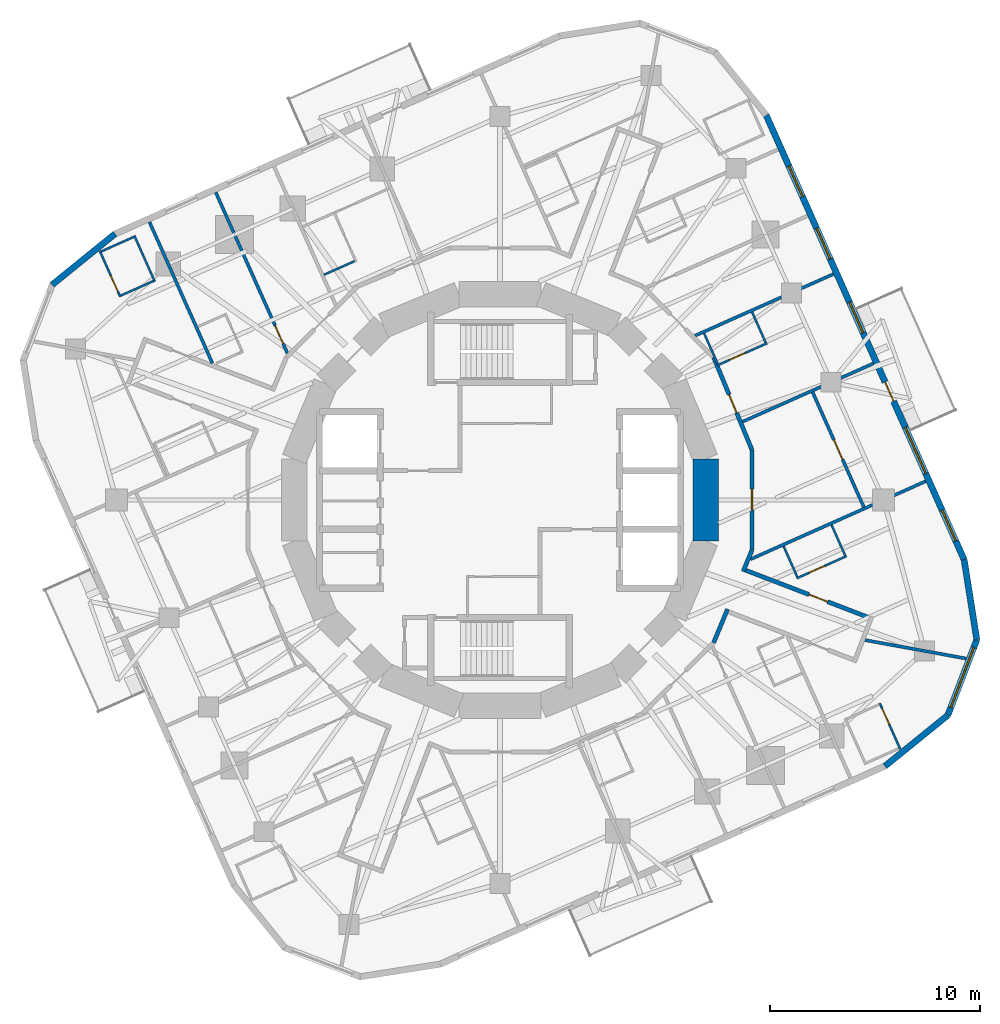
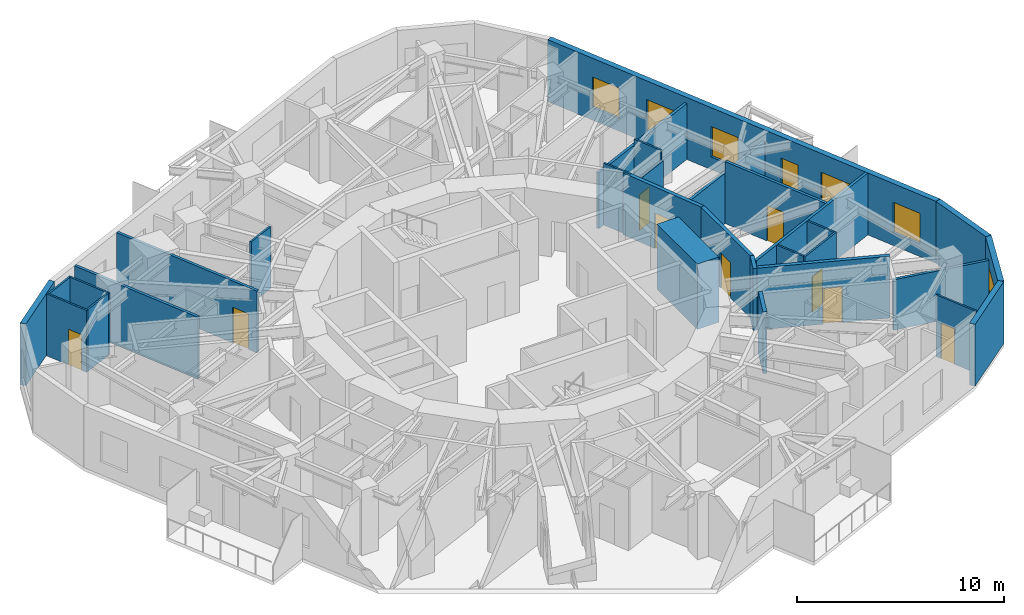
# One storey, part 8 of 12: 30 walls, 10 doors, 6 windows, 16 openings.
"""IFC4 building model written with IfcOpenShell, lengths in metres."""

from ifc_helpers import new_model, si_unit, direction, frame, frame_2d, origin, place, context, subcontext, project, spatial, rectangle, extrude, material, layer, layer_set, type_object, element, fill, save


model = new_model("IFC4")

# Units and contexts
model_context = context("Model", 3, precision=1e-05, world=origin(), true_north=direction((0.0, 1.0)))
body_context = subcontext(model_context, "Body", "Model", "MODEL_VIEW")
ifc_project = project(units=[si_unit("LENGTHUNIT", "METRE"), si_unit("AREAUNIT", "SQUARE_METRE"), si_unit("VOLUMEUNIT", "CUBIC_METRE"), si_unit("PLANEANGLEUNIT", "RADIAN"), si_unit("MASSUNIT", "GRAM", prefix="KILO")], contexts=[model_context])

# Site, building, storey
site_placement = place(None, origin())
site = spatial("IfcSite", under=ifc_project, at=site_placement, CompositionType="ELEMENT")
building_placement = place(site_placement, origin())
building = spatial("IfcBuilding", under=site, at=building_placement, Name="Nakasero Lantern House", CompositionType="ELEMENT")
storey_placement = place(building_placement, frame((0.0, 0.0, 209.39990234375)))
storey = spatial("IfcBuildingStorey", under=building, at=storey_placement, Name="L51", CompositionType="ELEMENT", Elevation=209.39990234375)

# Wall
ifc_material_1 = material(Name="Concrete C50/60", Category="concrete")
ifc_layer_1 = layer(ifc_material_1, 1.199951171875)
ifc_layer_set_1 = layer_set([ifc_layer_1], Name="Core wall 1200")
wall_type_1 = type_object("IfcWallType", Name="Core wall 1200", PredefinedType="SHEAR", material=ifc_layer_set_1)
wall_1_placement = place(storey_placement, frame((9.807861328125, -1.950927734375, 0.0), z_axis=(0.0, 0.0, 1.0), x_axis=(0.0, 1.0, 0.0)))
element("IfcWall", 1, at=wall_1_placement, inside=storey, type_object=wall_type_1, Name="Core wall L51 facet 16", PredefinedType="SHEAR", context=body_context, shape_type="SweptSolid", body=[
    extrude(rectangle(XDim=3.90185546875, YDim=1.199951171875, at=frame_2d((1.950927734375, 0.0))), origin(), (0.0, 0.0, 1.0), 3.85009765625),
])

# Wall, opening, door
ifc_material_2 = material(Name="Blockwork", Category="masonry")
ifc_layer_2 = layer(ifc_material_2, 0.199951171875)
ifc_layer_set_2 = layer_set([ifc_layer_2], Name="Corridor wall 200")
wall_type_2 = type_object("IfcWallType", Name="Corridor wall 200", PredefinedType="PARTITIONING", material=ifc_layer_set_2)
wall_2_placement = place(storey_placement, frame((12.0078125, 2.388427734375, 0.0), z_axis=(0.0, 0.0, 1.0), x_axis=(0.0, -1.0, 0.0)))
wall_2 = element("IfcWall", 2, at=wall_2_placement, inside=storey, type_object=wall_type_2, Name="Corridor wall L51 RC00a", PredefinedType="PARTITIONING", context=body_context, shape_type="SweptSolid", body=[
    extrude(rectangle(XDim=4.77685546875, YDim=0.199951171875, at=frame_2d((2.388427734375, 0.0))), origin(), (0.0, 0.0, 1.0), 3.650146484375),
])
opening_1_placement = place(wall_2_placement, frame((1.8701171875, 0.0, 0.0)))
opening_1 = element("IfcOpeningElement", 3, at=opening_1_placement, cuts=wall_2, Name="Opening D03", PredefinedType="OPENING", context=body_context, shape_type="SweptSolid", body=[
    extrude(rectangle(XDim=1.0, YDim=2.10009765625, at=frame_2d((0.5, 1.050048828125))), frame((0.0, 0.119873046875, 0.0), z_axis=(0.0, -1.0, 0.0), x_axis=(1.0, 0.0, 0.0)), (0.0, 0.0, 1.0), 0.239990234375),
])
ifc_material_3 = material(Name="Timber C24", Category="wood")
door_type_1 = type_object("IfcDoorType", Name="Lounge door FD30S 1000", OperationType="SINGLE_SWING_LEFT", PredefinedType="DOOR", material=ifc_material_3)
door_1_placement = place(opening_1_placement, origin())
door_1 = element("IfcDoor", 4, at=door_1_placement, inside=storey, type_object=door_type_1, Name="Door L51 DK0", OperationType="SINGLE_SWING_LEFT", OverallHeight=2.10009765625, OverallWidth=1.0, PredefinedType="DOOR", context=body_context, shape_type="SweptSolid", body=[
    extrude(rectangle(XDim=1.0, YDim=2.10009765625, at=frame_2d((0.5, 1.050048828125))), frame((0.0, 0.02490234375, 0.0), z_axis=(0.0, -1.0, 0.0), x_axis=(1.0, 0.0, 0.0)), (0.0, 0.0, 1.0), 0.050048828125),
])
fill(opening_1, door_1)

# Walls
wall_3_placement = place(storey_placement, frame((12.0078125, -2.388427734375, 0.0), z_axis=(0.0, 0.0, 1.0), x_axis=(-0.382651327736, -0.923892830031, 0.0)))
element("IfcWall", 5, at=wall_3_placement, inside=storey, type_object=wall_type_2, Name="Corridor wall L51 RC01a", PredefinedType="PARTITIONING", context=body_context, shape_type="SweptSolid", body=[
    extrude(rectangle(XDim=1.103759765625, YDim=0.199951171875, at=frame_2d((0.5517578125, 0.0))), origin(), (0.0, 0.0, 1.0), 3.650146484375),
])
wall_4_placement = place(storey_placement, frame((10.8427734375, -5.201171875, 0.0), z_axis=(0.0, 0.0, 1.0), x_axis=(-0.382683633391, -0.923879449244, 0.0)))
element("IfcWall", 6, at=wall_4_placement, inside=storey, type_object=wall_type_2, Name="Corridor wall L51 RC01b", PredefinedType="PARTITIONING", context=body_context, shape_type="SweptSolid", body=[
    extrude(rectangle(XDim=1.732666015625, YDim=0.199951171875, at=frame_2d((0.8662109375, 0.0))), origin(), (0.0, 0.0, 1.0), 3.650146484375),
])

# Wall, opening, door
wall_5_placement = place(storey_placement, frame((10.1796875, 6.802001953125, 0.0), z_axis=(0.0, 0.0, 1.0), x_axis=(0.382676767893, -0.923882292998, 0.0)))
wall_5 = element("IfcWall", 7, at=wall_5_placement, inside=storey, type_object=wall_type_2, Name="Corridor wall L51 RC15a", PredefinedType="PARTITIONING", context=body_context, shape_type="SweptSolid", body=[
    extrude(rectangle(XDim=4.777099609375, YDim=0.199951171875, at=frame_2d((2.388671875, 0.0))), origin(), (0.0, 0.0, 1.0), 3.650146484375),
])
opening_2_placement = place(wall_5_placement, frame((1.919921875, 0.0, 0.0)))
opening_2 = element("IfcOpeningElement", 8, at=opening_2_placement, cuts=wall_5, Name="Opening D01", PredefinedType="OPENING", context=body_context, shape_type="SweptSolid", body=[
    extrude(rectangle(XDim=0.949951171875, YDim=2.10009765625, at=frame_2d((0.47509765625, 1.050048828125))), frame((0.0, 0.119873046875, 0.0), z_axis=(0.0, -1.0, 0.0), x_axis=(1.0, 0.0, 0.0)), (0.0, 0.0, 1.0), 0.239990234375),
])
ifc_material_4 = material(Name="Timber C24", Category="wood")
door_type_2 = type_object("IfcDoorType", Name="Bedroom door FD30S 950", OperationType="SINGLE_SWING_LEFT", PredefinedType="DOOR", material=ifc_material_4)
door_2_placement = place(opening_2_placement, origin())
door_2 = element("IfcDoor", 9, at=door_2_placement, inside=storey, type_object=door_type_2, Name="Door L51 D0-03", OperationType="SINGLE_SWING_RIGHT", OverallHeight=2.10009765625, OverallWidth=0.949951171875, PredefinedType="DOOR", context=body_context, shape_type="SweptSolid", body=[
    extrude(rectangle(XDim=0.949951171875, YDim=2.10009765625, at=frame_2d((0.47509765625, 1.050048828125))), frame((0.0, 0.02490234375, 0.0), z_axis=(0.0, -1.0, 0.0), x_axis=(1.0, 0.0, 0.0)), (0.0, 0.0, 1.0), 0.050048828125),
])
fill(opening_2, door_2)

wall_6_placement = place(storey_placement, frame((11.623779296875, -3.31591796875, 0.0), z_axis=(0.0, 0.0, 1.0), x_axis=(0.933579421016, -0.358370568903, 0.0)))
wall_6 = element("IfcWall", 10, at=wall_6_placement, inside=storey, type_object=wall_type_2, Name="Corridor wall L51 SP3b", PredefinedType="PARTITIONING", context=body_context, shape_type="SweptSolid", body=[
    extrude(rectangle(XDim=6.587646484375, YDim=0.199951171875, at=frame_2d((3.2939453125, 0.0))), origin(), (0.0, 0.0, 1.0), 3.650146484375),
])
opening_3_placement = place(wall_6_placement, frame((3.320068359375, 0.0, 0.0)))
opening_3 = element("IfcOpeningElement", 11, at=opening_3_placement, cuts=wall_6, Name="Opening D01", PredefinedType="OPENING", context=body_context, shape_type="SweptSolid", body=[
    extrude(rectangle(XDim=0.949951171875, YDim=2.10009765625, at=frame_2d((0.47509765625, 1.050048828125))), frame((0.0, 0.119873046875, 0.0), z_axis=(0.0, -1.0, 0.0), x_axis=(1.0, 0.0, 0.0)), (0.0, 0.0, 1.0), 0.239990234375),
])
door_3_placement = place(opening_3_placement, origin())
door_3 = element("IfcDoor", 12, at=door_3_placement, inside=storey, type_object=door_type_2, Name="Door L51 D0-00", OperationType="SINGLE_SWING_RIGHT", OverallHeight=2.10009765625, OverallWidth=0.949951171875, PredefinedType="DOOR", context=body_context, shape_type="SweptSolid", body=[
    extrude(rectangle(XDim=0.949951171875, YDim=2.10009765625, at=frame_2d((0.47509765625, 1.050048828125))), frame((0.0, 0.02490234375, 0.0), z_axis=(0.0, -1.0, 0.0), x_axis=(1.0, 0.0, 0.0)), (0.0, 0.0, 1.0), 0.050048828125),
])
fill(opening_3, door_3)

ifc_material_5 = material(Name="Blockwork", Category="masonry")
ifc_layer_3 = layer(ifc_material_5, 0.10009765625)
ifc_layer_set_3 = layer_set([ifc_layer_3], Name="En-suite wall 100")
wall_type_3 = type_object("IfcWallType", Name="En-suite wall 100", PredefinedType="PARTITIONING", material=ifc_layer_set_3)
wall_7_placement = place(storey_placement, frame((14.14013671875, -3.731689453125, 0.0), z_axis=(0.0, 0.0, 1.0), x_axis=(0.913532543723, 0.406765646974, 0.0)))
wall_7 = element("IfcWall", 13, at=wall_7_placement, inside=storey, type_object=wall_type_3, Name="En-suite wall L51 ES0-00", PredefinedType="PARTITIONING", context=body_context, shape_type="SweptSolid", body=[
    extrude(rectangle(XDim=2.60009765625, YDim=0.10009765625, at=frame_2d((1.300048828125, 0.0))), origin(), (0.0, 0.0, 1.0), 3.650146484375),
])
opening_4_placement = place(wall_7_placement, frame((0.64990234375, 0.0, 0.0)))
opening_4 = element("IfcOpeningElement", 14, at=opening_4_placement, cuts=wall_7, Name="Opening D02", PredefinedType="OPENING", context=body_context, shape_type="SweptSolid", body=[
    extrude(rectangle(XDim=0.800048828125, YDim=2.10009765625, at=frame_2d((0.39990234375, 1.050048828125))), frame((0.0, 0.070068359375, 0.0), z_axis=(0.0, -1.0, 0.0), x_axis=(1.0, 0.0, 0.0)), (0.0, 0.0, 1.0), 0.14013671875),
])
ifc_material_6 = material(Name="Timber C24", Category="wood")
door_type_3 = type_object("IfcDoorType", Name="En-suite door 800", OperationType="SINGLE_SWING_RIGHT", PredefinedType="DOOR", material=ifc_material_6)
door_4_placement = place(opening_4_placement, origin())
door_4 = element("IfcDoor", 15, at=door_4_placement, inside=storey, type_object=door_type_3, Name="Door L51 DE0-00", OperationType="SINGLE_SWING_LEFT", OverallHeight=2.10009765625, OverallWidth=0.800048828125, PredefinedType="DOOR", context=body_context, shape_type="SweptSolid", body=[
    extrude(rectangle(XDim=0.800048828125, YDim=2.10009765625, at=frame_2d((0.39990234375, 1.050048828125))), frame((0.0, 0.02490234375, 0.0), z_axis=(0.0, -1.0, 0.0), x_axis=(1.0, 0.0, 0.0)), (0.0, 0.0, 1.0), 0.050048828125),
])
fill(opening_4, door_4)

# Walls
wall_8_placement = place(storey_placement, frame((16.449462890625, -2.648681640625, 0.0), z_axis=(0.0, 0.0, 1.0), x_axis=(-0.40678959877, 0.913521878409, 0.0)))
element("IfcWall", 16, at=wall_8_placement, inside=storey, type_object=wall_type_3, Name="En-suite wall L51 EE0-00", PredefinedType="PARTITIONING", context=body_context, shape_type="SweptSolid", body=[
    extrude(rectangle(XDim=1.60009765625, YDim=0.10009765625, at=frame_2d((0.800048828125, 0.0))), origin(), (0.0, 0.0, 1.0), 3.650146484375),
])
wall_9_placement = place(storey_placement, frame((14.16552734375, -3.66552734375, 0.0), z_axis=(0.0, 0.0, 1.0), x_axis=(-0.406662251972, 0.913578575067, 0.0)))
element("IfcWall", 17, at=wall_9_placement, inside=storey, type_object=wall_type_3, Name="En-suite wall L51 EI0-00", PredefinedType="PARTITIONING", context=body_context, shape_type="SweptSolid", body=[
    extrude(rectangle(XDim=1.599853515625, YDim=0.10009765625, at=frame_2d((0.7998046875, 0.0))), origin(), (0.0, 0.0, 1.0), 3.650146484375),
])

# Wall, opening, door
wall_10_placement = place(storey_placement, frame((10.353515625, 6.4130859375, 0.0), z_axis=(0.0, 0.0, 1.0), x_axis=(0.913567433554, 0.406687280781, 0.0)))
wall_10 = element("IfcWall", 18, at=wall_10_placement, inside=storey, type_object=wall_type_3, Name="En-suite wall L51 ES0-03", PredefinedType="PARTITIONING", context=body_context, shape_type="SweptSolid", body=[
    extrude(rectangle(XDim=2.599853515625, YDim=0.10009765625, at=frame_2d((1.2998046875, 0.0))), origin(), (0.0, 0.0, 1.0), 3.037841796875),
])
opening_5_placement = place(wall_10_placement, frame((0.64990234375, 0.0, 0.0)))
opening_5 = element("IfcOpeningElement", 19, at=opening_5_placement, cuts=wall_10, Name="Opening D02", PredefinedType="OPENING", context=body_context, shape_type="SweptSolid", body=[
    extrude(rectangle(XDim=0.800048828125, YDim=2.10009765625, at=frame_2d((0.39990234375, 1.050048828125))), frame((0.0, 0.070068359375, 0.0), z_axis=(0.0, -1.0, 0.0), x_axis=(1.0, 0.0, 0.0)), (0.0, 0.0, 1.0), 0.14013671875),
])
door_5_placement = place(opening_5_placement, origin())
door_5 = element("IfcDoor", 20, at=door_5_placement, inside=storey, type_object=door_type_3, Name="Door L51 DE0-03", OperationType="SINGLE_SWING_LEFT", OverallHeight=2.10009765625, OverallWidth=0.800048828125, PredefinedType="DOOR", context=body_context, shape_type="SweptSolid", body=[
    extrude(rectangle(XDim=0.800048828125, YDim=2.10009765625, at=frame_2d((0.39990234375, 1.050048828125))), frame((0.0, 0.02490234375, 0.0), z_axis=(0.0, -1.0, 0.0), x_axis=(1.0, 0.0, 0.0)), (0.0, 0.0, 1.0), 0.050048828125),
])
fill(opening_5, door_5)

# Walls
for number, where, z_axis, x_axis, name in (
    (21, (12.66259765625, 7.495849609375, 0.0), (0.0, 0.0, 1.0), (-0.406662251972, 0.913578575067, 0.0), "En-suite wall L51 EE0-03"),
    (22, (10.378662109375, 6.47900390625, 0.0), (0.0, 0.0, 1.0), (-0.406662251972, 0.913578575067, 0.0), "En-suite wall L51 EI0-03"),
):
    element("IfcWall", number, at=place(storey_placement, frame(where, z_axis=z_axis, x_axis=x_axis)), inside=storey, type_object=wall_type_3, Name=name, PredefinedType="PARTITIONING", context=body_context, shape_type="SweptSolid", body=[
        extrude(rectangle(XDim=1.599853515625, YDim=0.10009765625, at=frame_2d((0.7998046875, 0.0))), origin(), (0.0, 0.0, 1.0), 3.650146484375),
    ])
wall_11_placement = place(storey_placement, frame((-6.926513671875, 11.3837890625, 0.0), z_axis=(0.0, 0.0, 1.0), x_axis=(-0.913521878409, -0.40678959877, 0.0)))
element("IfcWall", 23, at=wall_11_placement, inside=storey, type_object=wall_type_3, Name="En-suite wall L51 EI1-03", PredefinedType="PARTITIONING", context=body_context, shape_type="SweptSolid", body=[
    extrude(rectangle(XDim=1.60009765625, YDim=0.10009765625, at=frame_2d((0.800048828125, 0.0))), origin(), (0.0, 0.0, 1.0), 3.650146484375),
])

# Wall, opening, door
wall_12_placement = place(storey_placement, frame((-18.0947265625, 9.676025390625, 0.0), z_axis=(0.0, 0.0, 1.0), x_axis=(-0.406685806039, 0.913568090055, 0.0)))
wall_12 = element("IfcWall", 24, at=wall_12_placement, inside=storey, type_object=wall_type_3, Name="En-suite wall L51 ES1-06", PredefinedType="PARTITIONING", context=body_context, shape_type="SweptSolid", body=[
    extrude(rectangle(XDim=2.400146484375, YDim=0.10009765625, at=frame_2d((1.2001953125, 0.0))), origin(), (0.0, 0.0, 1.0), 3.650146484375),
])
opening_6_placement = place(wall_12_placement, frame((0.300048828125, 0.0, 0.0)))
opening_6 = element("IfcOpeningElement", 25, at=opening_6_placement, cuts=wall_12, Name="Opening D02", PredefinedType="OPENING", context=body_context, shape_type="SweptSolid", body=[
    extrude(rectangle(XDim=0.800048828125, YDim=2.10009765625, at=frame_2d((0.39990234375, 1.050048828125))), frame((0.0, 0.070068359375, 0.0), z_axis=(0.0, -1.0, 0.0), x_axis=(1.0, 0.0, 0.0)), (0.0, 0.0, 1.0), 0.14013671875),
])
door_6_placement = place(opening_6_placement, origin())
door_6 = element("IfcDoor", 26, at=door_6_placement, inside=storey, type_object=door_type_3, Name="Door L51 DE1-06", OperationType="SINGLE_SWING_LEFT", OverallHeight=2.10009765625, OverallWidth=0.800048828125, PredefinedType="DOOR", context=body_context, shape_type="SweptSolid", body=[
    extrude(rectangle(XDim=0.800048828125, YDim=2.10009765625, at=frame_2d((0.39990234375, 1.050048828125))), frame((0.0, 0.02490234375, 0.0), z_axis=(0.0, -1.0, 0.0), x_axis=(1.0, 0.0, 0.0)), (0.0, 0.0, 1.0), 0.050048828125),
])
fill(opening_6, door_6)

# Walls
wall_13_placement = place(storey_placement, frame((-16.4501953125, 10.408203125, 0.0), z_axis=(0.0, 0.0, 1.0), x_axis=(-0.406808500233, 0.913513461389, 0.0)))
element("IfcWall", 27, at=wall_13_placement, inside=storey, type_object=wall_type_3, Name="En-suite wall L51 EV1-06", PredefinedType="PARTITIONING", context=body_context, shape_type="SweptSolid", body=[
    extrude(rectangle(XDim=2.39990234375, YDim=0.10009765625, at=frame_2d((1.199951171875, 0.0))), origin(), (0.0, 0.0, 1.0), 3.650146484375),
])
wall_14_placement = place(storey_placement, frame((-17.45166015625, 12.53466796875, 0.0), z_axis=(0.0, 0.0, 1.0), x_axis=(-0.91357452948, -0.406671340378, 0.0)))
element("IfcWall", 28, at=wall_14_placement, inside=storey, type_object=wall_type_3, Name="En-suite wall L51 EE1-06", PredefinedType="PARTITIONING", context=body_context, shape_type="SweptSolid", body=[
    extrude(rectangle(XDim=1.7001953125, YDim=0.10009765625, at=frame_2d((0.85009765625, 0.0))), origin(), (0.0, 0.0, 1.0), 3.650146484375),
])
wall_15_placement = place(storey_placement, frame((-16.516357421875, 10.43359375, 0.0), z_axis=(0.0, 0.0, 1.0), x_axis=(-0.913550776237, -0.406724697108, 0.0)))
element("IfcWall", 29, at=wall_15_placement, inside=storey, type_object=wall_type_3, Name="En-suite wall L51 EI1-06", PredefinedType="PARTITIONING", context=body_context, shape_type="SweptSolid", body=[
    extrude(rectangle(XDim=1.699951171875, YDim=0.10009765625, at=frame_2d((0.85009765625, 0.0))), origin(), (0.0, 0.0, 1.0), 3.650146484375),
])

# Wall, opening, door
wall_16_placement = place(storey_placement, frame((18.0947265625, -9.676025390625, 0.0), z_axis=(0.0, 0.0, 1.0), x_axis=(0.406685806039, -0.913568090055, 0.0)))
wall_16 = element("IfcWall", 30, at=wall_16_placement, inside=storey, type_object=wall_type_3, Name="En-suite wall L51 ES3-06", PredefinedType="PARTITIONING", context=body_context, shape_type="SweptSolid", body=[
    extrude(rectangle(XDim=2.400146484375, YDim=0.10009765625, at=frame_2d((1.2001953125, 0.0))), origin(), (0.0, 0.0, 1.0), 3.650146484375),
])
opening_7_placement = place(wall_16_placement, frame((0.300048828125, 0.0, 0.0)))
opening_7 = element("IfcOpeningElement", 31, at=opening_7_placement, cuts=wall_16, Name="Opening D02", PredefinedType="OPENING", context=body_context, shape_type="SweptSolid", body=[
    extrude(rectangle(XDim=0.800048828125, YDim=2.10009765625, at=frame_2d((0.39990234375, 1.050048828125))), frame((0.0, 0.070068359375, 0.0), z_axis=(0.0, -1.0, 0.0), x_axis=(1.0, 0.0, 0.0)), (0.0, 0.0, 1.0), 0.14013671875),
])
door_7_placement = place(opening_7_placement, origin())
door_7 = element("IfcDoor", 32, at=door_7_placement, inside=storey, type_object=door_type_3, Name="Door L51 DE3-06", OperationType="SINGLE_SWING_LEFT", OverallHeight=2.10009765625, OverallWidth=0.800048828125, PredefinedType="DOOR", context=body_context, shape_type="SweptSolid", body=[
    extrude(rectangle(XDim=0.800048828125, YDim=2.10009765625, at=frame_2d((0.39990234375, 1.050048828125))), frame((0.0, 0.02490234375, 0.0), z_axis=(0.0, -1.0, 0.0), x_axis=(1.0, 0.0, 0.0)), (0.0, 0.0, 1.0), 0.050048828125),
])
fill(opening_7, door_7)

# Wall, openings, door, windows
ifc_material_7 = material(Name="Aluminium rainscreen on blockwork", Category="masonry")
ifc_layer_4 = layer(ifc_material_7, 0.300048828125)
ifc_layer_set_4 = layer_set([ifc_layer_4], Name="Facade wall 300")
wall_type_4 = type_object("IfcWallType", Name="Facade wall 300", PredefinedType="SOLIDWALL", material=ifc_layer_set_4)
wall_17_placement = place(storey_placement, frame((22.12109375, -2.848876953125, 0.0), z_axis=(0.0, 0.0, 1.0), x_axis=(-0.406734951338, 0.913546210851, 0.0)))
wall_17 = element("IfcWall", 33, at=wall_17_placement, inside=storey, type_object=wall_type_4, Name="Facade wall L51 FW0S", PredefinedType="SOLIDWALL", context=body_context, shape_type="SweptSolid", body=[
    extrude(rectangle(XDim=23.199951171875, YDim=0.300048828125, at=frame_2d((11.60009765625, 0.0))), origin(), (0.0, 0.0, 1.0), 3.650146484375),
])
opening_8_placement = place(wall_17_placement, frame((0.982421875, 0.0, 0.75)))
opening_8 = element("IfcOpeningElement", 34, at=opening_8_placement, cuts=wall_17, Name="Opening W01", PredefinedType="OPENING", context=body_context, shape_type="SweptSolid", body=[
    extrude(rectangle(XDim=1.60009765625, YDim=1.800048828125, at=frame_2d((0.800048828125, 0.89990234375))), frame((0.0, 0.169921875, 0.0), z_axis=(0.0, -1.0, 0.0), x_axis=(1.0, 0.0, 0.0)), (0.0, 0.0, 1.0), 0.340087890625),
])
opening_9_placement = place(wall_17_placement, frame((11.83984375, 0.0, 0.75)))
opening_9 = element("IfcOpeningElement", 35, at=opening_9_placement, cuts=wall_17, Name="Opening W01", PredefinedType="OPENING", context=body_context, shape_type="SweptSolid", body=[
    extrude(rectangle(XDim=1.60009765625, YDim=1.800048828125, at=frame_2d((0.800048828125, 0.89990234375))), frame((0.0, 0.169921875, 0.0), z_axis=(0.0, -1.0, 0.0), x_axis=(1.0, 0.0, 0.0)), (0.0, 0.0, 1.0), 0.340087890625),
])
opening_10_placement = place(wall_17_placement, frame((15.69140625, 0.0, 0.75)))
opening_10 = element("IfcOpeningElement", 36, at=opening_10_placement, cuts=wall_17, Name="Opening W01", PredefinedType="OPENING", context=body_context, shape_type="SweptSolid", body=[
    extrude(rectangle(XDim=1.60009765625, YDim=1.800048828125, at=frame_2d((0.800048828125, 0.89990234375))), frame((0.0, 0.169921875, 0.0), z_axis=(0.0, -1.0, 0.0), x_axis=(1.0, 0.0, 0.0)), (0.0, 0.0, 1.0), 0.340087890625),
])
opening_11_placement = place(wall_17_placement, frame((18.940185546875, 0.0, 0.75)))
opening_11 = element("IfcOpeningElement", 37, at=opening_11_placement, cuts=wall_17, Name="Opening W01", PredefinedType="OPENING", context=body_context, shape_type="SweptSolid", body=[
    extrude(rectangle(XDim=1.60009765625, YDim=1.800048828125, at=frame_2d((0.800048828125, 0.89990234375))), frame((0.0, 0.169921875, 0.0), z_axis=(0.0, -1.0, 0.0), x_axis=(1.0, 0.0, 0.0)), (0.0, 0.0, 1.0), 0.340087890625),
])
opening_12_placement = place(wall_17_placement, frame((4.500244140625, 0.0, 0.75)))
opening_12 = element("IfcOpeningElement", 38, at=opening_12_placement, cuts=wall_17, Name="Opening W03", PredefinedType="OPENING", context=body_context, shape_type="SweptSolid", body=[
    extrude(rectangle(XDim=2.39990234375, YDim=1.800048828125, at=frame_2d((1.199951171875, 0.89990234375))), frame((0.0, 0.169921875, 0.0), z_axis=(0.0, -1.0, 0.0), x_axis=(1.0, 0.0, 0.0)), (0.0, 0.0, 1.0), 0.340087890625),
])
opening_13_placement = place(wall_17_placement, frame((8.271484375, 0.0, 0.0)))
opening_13 = element("IfcOpeningElement", 39, at=opening_13_placement, cuts=wall_17, Name="Opening D04", PredefinedType="OPENING", context=body_context, shape_type="SweptSolid", body=[
    extrude(rectangle(XDim=1.0, YDim=2.39990234375, at=frame_2d((0.5, 1.199951171875))), frame((0.0, 0.169921875, 0.0), z_axis=(0.0, -1.0, 0.0), x_axis=(1.0, 0.0, 0.0)), (0.0, 0.0, 1.0), 0.340087890625),
])
ifc_material_8 = material(Name="Aluminium 6063-T6 and glass", Category="aluminium")
door_type_4 = type_object("IfcDoorType", Name="Balcony door 1000x2400", OperationType="SINGLE_SWING_RIGHT", PredefinedType="DOOR", material=ifc_material_8)
door_8_placement = place(opening_13_placement, origin())
door_8 = element("IfcDoor", 40, at=door_8_placement, inside=storey, type_object=door_type_4, Name="Balcony door L51 DB0", OperationType="SINGLE_SWING_RIGHT", OverallHeight=2.39990234375, OverallWidth=1.0, PredefinedType="DOOR", context=body_context, shape_type="SweptSolid", body=[
    extrude(rectangle(XDim=1.0, YDim=2.39990234375, at=frame_2d((0.5, 1.199951171875))), frame((0.0, 0.02490234375, 0.0), z_axis=(0.0, -1.0, 0.0), x_axis=(1.0, 0.0, 0.0)), (0.0, 0.0, 1.0), 0.050048828125),
])
fill(opening_13, door_8)
ifc_material_9 = material(Name="Aluminium 6063-T6 and glass", Category="aluminium")
window_type_1 = type_object("IfcWindowType", Name="Bedroom window 1600x1800", PartitioningType="SINGLE_PANEL", PredefinedType="WINDOW", material=ifc_material_9)
window_1_placement = place(opening_8_placement, origin())
window_1 = element("IfcWindow", 41, at=window_1_placement, inside=storey, type_object=window_type_1, Name="Window L51 WN0-00", OverallHeight=1.800048828125, OverallWidth=1.60009765625, PartitioningType="SINGLE_PANEL", PredefinedType="WINDOW", context=body_context, shape_type="SweptSolid", body=[
    extrude(rectangle(XDim=1.60009765625, YDim=1.800048828125, at=frame_2d((0.800048828125, 0.89990234375))), frame((0.0, 0.030029296875, 0.0), z_axis=(0.0, -1.0, 0.0), x_axis=(1.0, 0.0, 0.0)), (0.0, 0.0, 1.0), 0.06005859375),
])
fill(opening_8, window_1)
window_2_placement = place(opening_9_placement, origin())
window_2 = element("IfcWindow", 42, at=window_2_placement, inside=storey, type_object=window_type_1, Name="Window L51 WN0-03", OverallHeight=1.800048828125, OverallWidth=1.60009765625, PartitioningType="SINGLE_PANEL", PredefinedType="WINDOW", context=body_context, shape_type="SweptSolid", body=[
    extrude(rectangle(XDim=1.60009765625, YDim=1.800048828125, at=frame_2d((0.800048828125, 0.89990234375))), frame((0.0, 0.030029296875, 0.0), z_axis=(0.0, -1.0, 0.0), x_axis=(1.0, 0.0, 0.0)), (0.0, 0.0, 1.0), 0.06005859375),
])
fill(opening_9, window_2)
window_3_placement = place(opening_10_placement, origin())
window_3 = element("IfcWindow", 43, at=window_3_placement, inside=storey, type_object=window_type_1, Name="Window L51 WN0-04", OverallHeight=1.800048828125, OverallWidth=1.60009765625, PartitioningType="SINGLE_PANEL", PredefinedType="WINDOW", context=body_context, shape_type="SweptSolid", body=[
    extrude(rectangle(XDim=1.60009765625, YDim=1.800048828125, at=frame_2d((0.800048828125, 0.89990234375))), frame((0.0, 0.030029296875, 0.0), z_axis=(0.0, -1.0, 0.0), x_axis=(1.0, 0.0, 0.0)), (0.0, 0.0, 1.0), 0.06005859375),
])
fill(opening_10, window_3)
window_4_placement = place(opening_11_placement, origin())
window_4 = element("IfcWindow", 44, at=window_4_placement, inside=storey, type_object=window_type_1, Name="Window L51 WN0-05", OverallHeight=1.800048828125, OverallWidth=1.60009765625, PartitioningType="SINGLE_PANEL", PredefinedType="WINDOW", context=body_context, shape_type="SweptSolid", body=[
    extrude(rectangle(XDim=1.60009765625, YDim=1.800048828125, at=frame_2d((0.800048828125, 0.89990234375))), frame((0.0, 0.030029296875, 0.0), z_axis=(0.0, -1.0, 0.0), x_axis=(1.0, 0.0, 0.0)), (0.0, 0.0, 1.0), 0.06005859375),
])
fill(opening_11, window_4)
ifc_material_10 = material(Name="Aluminium 6063-T6 and glass", Category="aluminium")
window_type_2 = type_object("IfcWindowType", Name="Lounge window 2400x1800", PartitioningType="SINGLE_PANEL", PredefinedType="WINDOW", material=ifc_material_10)
window_5_placement = place(opening_12_placement, origin())
window_5 = element("IfcWindow", 45, at=window_5_placement, inside=storey, type_object=window_type_2, Name="Window L51 WK0", OverallHeight=1.800048828125, OverallWidth=2.39990234375, PartitioningType="SINGLE_PANEL", PredefinedType="WINDOW", context=body_context, shape_type="SweptSolid", body=[
    extrude(rectangle(XDim=2.39990234375, YDim=1.800048828125, at=frame_2d((1.199951171875, 0.89990234375))), frame((0.0, 0.030029296875, 0.0), z_axis=(0.0, -1.0, 0.0), x_axis=(1.0, 0.0, 0.0)), (0.0, 0.0, 1.0), 0.06005859375),
])
fill(opening_12, window_5)

# Walls
for number, where, z_axis, x_axis, name in (
    (46, (-18.345458984375, 12.684814453125, 0.0), (0.0, 0.0, 1.0), (-0.777174099125, -0.629285642335, 0.0), "Facade wall L51 FW1C1"),
    (47, (18.345458984375, -12.684814453125, 0.0), (0.0, 0.0, 1.0), (0.777174099125, 0.629285642335, 0.0), "Facade wall L51 FW3C1"),
):
    element("IfcWall", number, at=place(storey_placement, frame(where, z_axis=z_axis, x_axis=x_axis)), inside=storey, type_object=wall_type_4, Name=name, PredefinedType="SOLIDWALL", context=body_context, shape_type="SweptSolid", body=[
        extrude(rectangle(XDim=3.8564453125, YDim=0.300048828125, at=frame_2d((1.92822265625, 0.0))), origin(), (0.0, 0.0, 1.0), 3.650146484375),
    ])

# Wall, opening, window
wall_18_placement = place(storey_placement, frame((21.342529296875, -10.258056640625, 0.0), z_axis=(0.0, 0.0, 1.0), x_axis=(0.358321438858, 0.933598278948, 0.0)))
wall_18 = element("IfcWall", 48, at=wall_18_placement, inside=storey, type_object=wall_type_4, Name="Facade wall L51 FW3C2", PredefinedType="SOLIDWALL", context=body_context, shape_type="SweptSolid", body=[
    extrude(rectangle(XDim=3.8564453125, YDim=0.300048828125, at=frame_2d((1.92822265625, 0.0))), origin(), (0.0, 0.0, 1.0), 3.650146484375),
])
opening_14_placement = place(wall_18_placement, frame((0.39990234375, 0.0, 0.75)))
opening_14 = element("IfcOpeningElement", 49, at=opening_14_placement, cuts=wall_18, Name="Opening W230", PredefinedType="OPENING", context=body_context, shape_type="SweptSolid", body=[
    extrude(rectangle(XDim=3.055908203125, YDim=1.800048828125, at=frame_2d((1.52783203125, 0.89990234375))), frame((0.0, 0.169921875, 0.0), z_axis=(0.0, -1.0, 0.0), x_axis=(1.0, 0.0, 0.0)), (0.0, 0.0, 1.0), 0.340087890625),
])
ifc_material_11 = material(Name="Aluminium 6063-T6 and glass", Category="aluminium")
window_type_3 = type_object("IfcWindowType", Name="Corner window 3056x1800", PartitioningType="SINGLE_PANEL", PredefinedType="WINDOW", material=ifc_material_11)
window_6_placement = place(opening_14_placement, origin())
window_6 = element("IfcWindow", 50, at=window_6_placement, inside=storey, type_object=window_type_3, Name="Window L51 WC3", OverallHeight=1.800048828125, OverallWidth=3.055908203125, PartitioningType="SINGLE_PANEL", PredefinedType="WINDOW", context=body_context, shape_type="SweptSolid", body=[
    extrude(rectangle(XDim=3.055908203125, YDim=1.800048828125, at=frame_2d((1.52783203125, 0.89990234375))), frame((0.0, 0.030029296875, 0.0), z_axis=(0.0, -1.0, 0.0), x_axis=(1.0, 0.0, 0.0)), (0.0, 0.0, 1.0), 0.06005859375),
])
fill(opening_14, window_6)

# Walls
wall_19_placement = place(storey_placement, frame((22.724365234375, -6.65771484375, 0.0), z_axis=(0.0, 0.0, 1.0), x_axis=(-0.156437203878, 0.987687906802, 0.0)))
element("IfcWall", 51, at=wall_19_placement, inside=storey, type_object=wall_type_4, Name="Facade wall L51 FW3C3", PredefinedType="SOLIDWALL", context=body_context, shape_type="SweptSolid", body=[
    extrude(rectangle(XDim=3.856201171875, YDim=0.300048828125, at=frame_2d((1.92822265625, 0.0))), origin(), (0.0, 0.0, 1.0), 3.650146484375),
])
ifc_material_12 = material(Name="Blockwork", Category="masonry")
ifc_layer_5 = layer(ifc_material_12, 0.14990234375)
ifc_layer_set_5 = layer_set([ifc_layer_5], Name="Party wall 150")
wall_type_5 = type_object("IfcWallType", Name="Party wall 150", PredefinedType="PARTITIONING", material=ifc_layer_set_5)
wall_20_placement = place(storey_placement, frame((11.935302734375, -2.824951171875, 0.0), z_axis=(0.0, 0.0, 1.0), x_axis=(0.91355156837, 0.40672291788, 0.0)))
element("IfcWall", 52, at=wall_20_placement, inside=storey, type_object=wall_type_5, Name="Party wall L51 PW0-01", PredefinedType="PARTITIONING", context=body_context, shape_type="SweptSolid", body=[
    extrude(rectangle(XDim=9.1455078125, YDim=0.14990234375, at=frame_2d((4.57275390625, 0.0))), origin(), (0.0, 0.0, 1.0), 3.650146484375),
])
wall_21_placement = place(storey_placement, frame((11.559814453125, 3.7314453125, 0.0), z_axis=(0.0, 0.0, 1.0), x_axis=(0.913544226514, 0.406739408224, 0.0)))
element("IfcWall", 53, at=wall_21_placement, inside=storey, type_object=wall_type_5, Name="Party wall L51 PW0-03", PredefinedType="PARTITIONING", context=body_context, shape_type="SweptSolid", body=[
    extrude(rectangle(XDim=6.82177734375, YDim=0.14990234375, at=frame_2d((3.410888671875, 0.0))), origin(), (0.0, 0.0, 1.0), 2.966552734375),
])
wall_22_placement = place(storey_placement, frame((9.293701171875, 7.829345703125, 0.0), z_axis=(0.0, 0.0, 1.0), x_axis=(0.913535447493, 0.406759125496, 0.0)))
element("IfcWall", 54, at=wall_22_placement, inside=storey, type_object=wall_type_5, Name="Party wall L51 PW0-04", PredefinedType="PARTITIONING", context=body_context, shape_type="SweptSolid", body=[
    extrude(rectangle(XDim=7.225341796875, YDim=0.14990234375, at=frame_2d((3.61279296875, 0.0))), origin(), (0.0, 0.0, 1.0), 3.295166015625),
])

# Wall, opening, door
wall_23_placement = place(storey_placement, frame((-10.130615234375, 6.99267578125, 0.0), z_axis=(0.0, 0.0, 1.0), x_axis=(-0.406732255089, 0.913547411288, 0.0)))
wall_23 = element("IfcWall", 55, at=wall_23_placement, inside=storey, type_object=wall_type_5, Name="Party wall L51 PW1-05", PredefinedType="PARTITIONING", context=body_context, shape_type="SweptSolid", body=[
    extrude(rectangle(XDim=8.3916015625, YDim=0.14990234375, at=frame_2d((4.19580078125, 0.0))), origin(), (0.0, 0.0, 1.0), 3.650146484375),
])
opening_15_placement = place(wall_23_placement, frame((0.5, 0.0, 0.0)))
opening_15 = element("IfcOpeningElement", 56, at=opening_15_placement, cuts=wall_23, Name="Opening D01", PredefinedType="OPENING", context=body_context, shape_type="SweptSolid", body=[
    extrude(rectangle(XDim=0.949951171875, YDim=2.10009765625, at=frame_2d((0.47509765625, 1.050048828125))), frame((0.0, 0.094970703125, 0.0), z_axis=(0.0, -1.0, 0.0), x_axis=(1.0, 0.0, 0.0)), (0.0, 0.0, 1.0), 0.18994140625),
])
door_9_placement = place(opening_15_placement, origin())
door_9 = element("IfcDoor", 57, at=door_9_placement, inside=storey, type_object=door_type_2, Name="Door L51 DS1-05", OperationType="SINGLE_SWING_LEFT", OverallHeight=2.10009765625, OverallWidth=0.949951171875, PredefinedType="DOOR", context=body_context, shape_type="SweptSolid", body=[
    extrude(rectangle(XDim=0.949951171875, YDim=2.10009765625, at=frame_2d((0.47509765625, 1.050048828125))), frame((0.0, 0.02490234375, 0.0), z_axis=(0.0, -1.0, 0.0), x_axis=(1.0, 0.0, 0.0)), (0.0, 0.0, 1.0), 0.050048828125),
])
fill(opening_15, door_9)

# Walls
wall_24_placement = place(storey_placement, frame((-13.70361328125, 6.513671875, 0.0), z_axis=(0.0, 0.0, 1.0), x_axis=(-0.406740331351, 0.913543815508, 0.0)))
element("IfcWall", 58, at=wall_24_placement, inside=storey, type_object=wall_type_5, Name="Party wall L51 PW1-06", PredefinedType="PARTITIONING", context=body_context, shape_type="SweptSolid", body=[
    extrude(rectangle(XDim=7.375732421875, YDim=0.14990234375, at=frame_2d((3.68798828125, 0.0))), origin(), (0.0, 0.0, 1.0), 3.650146484375),
])
wall_25_placement = place(storey_placement, frame((17.390625, -6.675537109375, 0.0), z_axis=(0.0, 0.0, 1.0), x_axis=(0.983745378578, -0.179569012156, 0.0)))
element("IfcWall", 59, at=wall_25_placement, inside=storey, type_object=wall_type_5, Name="Party wall L51 PW0-00", PredefinedType="PARTITIONING", context=body_context, shape_type="SweptSolid", body=[
    extrude(rectangle(XDim=4.902587890625, YDim=0.14990234375, at=frame_2d((2.451171875, 0.0))), origin(), (0.0, 0.0, 1.0), 2.966552734375),
])

# Wall, opening, door
wall_26_placement = place(storey_placement, frame((17.34033203125, -0.347412109375, 0.0), z_axis=(0.0, 0.0, 1.0), x_axis=(-0.406711058405, 0.913556848243, 0.0)))
wall_26 = element("IfcWall", 60, at=wall_26_placement, inside=storey, type_object=wall_type_5, Name="Party wall L51 KQ0", PredefinedType="PARTITIONING", context=body_context, shape_type="SweptSolid", body=[
    extrude(rectangle(XDim=6.012451171875, YDim=0.14990234375, at=frame_2d((3.00634765625, 0.0))), origin(), (0.0, 0.0, 1.0), 3.650146484375),
])
opening_16_placement = place(wall_26_placement, frame((2.506103515625, 0.0, 0.0)))
opening_16 = element("IfcOpeningElement", 61, at=opening_16_placement, cuts=wall_26, Name="Opening D03", PredefinedType="OPENING", context=body_context, shape_type="SweptSolid", body=[
    extrude(rectangle(XDim=1.0, YDim=2.10009765625, at=frame_2d((0.5, 1.050048828125))), frame((0.0, 0.094970703125, 0.0), z_axis=(0.0, -1.0, 0.0), x_axis=(1.0, 0.0, 0.0)), (0.0, 0.0, 1.0), 0.18994140625),
])
door_10_placement = place(opening_16_placement, origin())
door_10 = element("IfcDoor", 62, at=door_10_placement, inside=storey, type_object=door_type_1, Name="Door L51 DKQ0", OperationType="SINGLE_SWING_LEFT", OverallHeight=2.10009765625, OverallWidth=1.0, PredefinedType="DOOR", context=body_context, shape_type="SweptSolid", body=[
    extrude(rectangle(XDim=1.0, YDim=2.10009765625, at=frame_2d((0.5, 1.050048828125))), frame((0.0, 0.02490234375, 0.0), z_axis=(0.0, -1.0, 0.0), x_axis=(1.0, 0.0, 0.0)), (0.0, 0.0, 1.0), 0.050048828125),
])
fill(opening_16, door_10)

save(model, "model.ifc")
